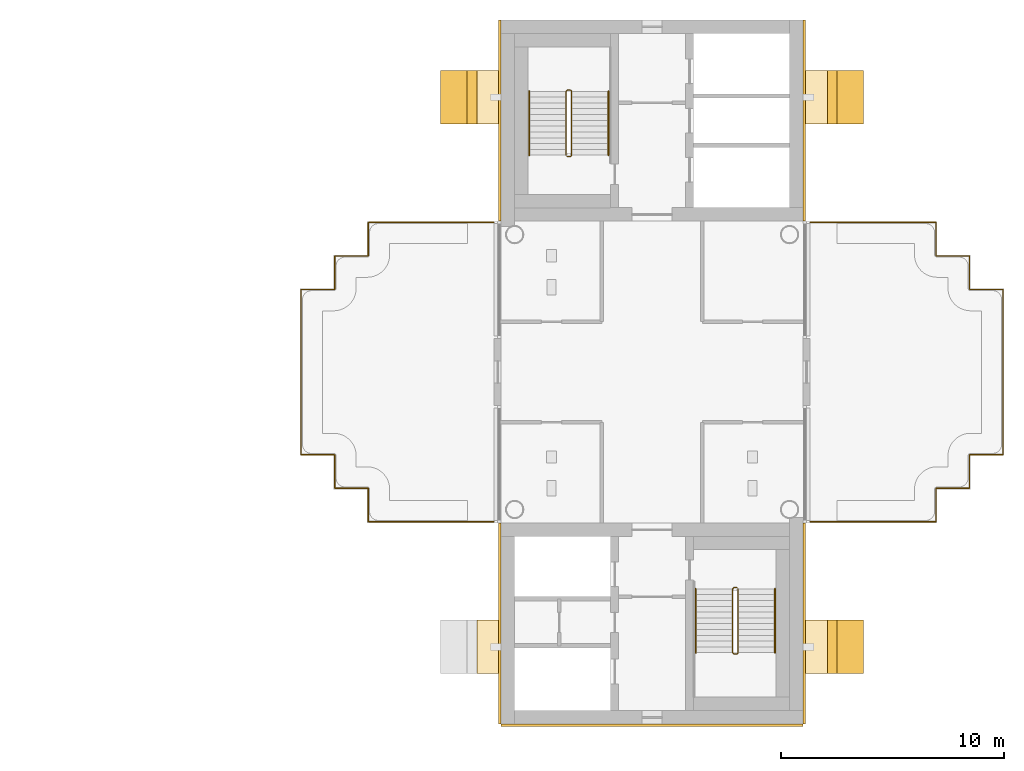
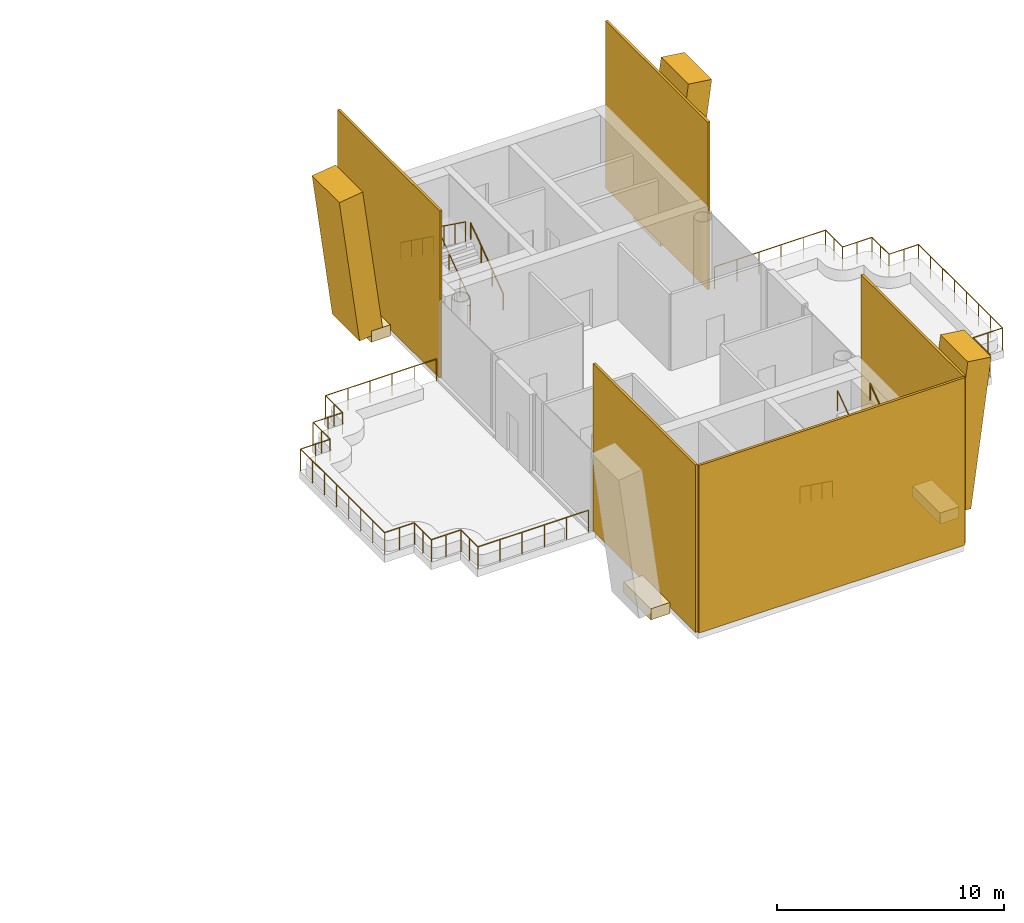
# One storey, part 16 of 17: 12 coverings, 8 railings.
"""IFC4 building model written with IfcOpenShell, lengths in metres."""

from ifc_helpers import new_model, si_unit, direction, frame, origin, origin_2d, place, context, subcontext, project, spatial, rectangle, circle, extrude, material, layer, layer_set, material_profile, profile_set, type_object, element, save


model = new_model("IFC4")

# Units and contexts
model_context = context("Model", 3, precision=1e-05, world=origin(), true_north=direction((0.0, 1.0)))
body_context = subcontext(model_context, "Body", "Model", "MODEL_VIEW")
ifc_project = project(units=[si_unit("LENGTHUNIT", "METRE"), si_unit("AREAUNIT", "SQUARE_METRE"), si_unit("VOLUMEUNIT", "CUBIC_METRE"), si_unit("PLANEANGLEUNIT", "RADIAN"), si_unit("MASSUNIT", "GRAM", prefix="KILO")], contexts=[model_context])

# Site, building, storey
site_placement = place(None, origin())
site = spatial("IfcSite", under=ifc_project, at=site_placement, CompositionType="ELEMENT")
building_placement = place(site_placement, origin())
building = spatial("IfcBuilding", under=site, at=building_placement, Name="Ipe Terrace Towers", CompositionType="ELEMENT")
storey_placement = place(building_placement, frame((0.0, 0.0, 246.89990234375)))
storey = spatial("IfcBuildingStorey", under=building, at=storey_placement, Name="L68", CompositionType="ELEMENT", Elevation=246.89990234375)

# Railings
ifc_material_1 = material(Name="Stainless steel S316", Category="steel")
railing_type_1 = type_object("IfcRailingType", Name="ROOF GUARD 1200", PredefinedType="BALUSTRADE", material=ifc_material_1)
railing_1_placement = place(storey_placement, frame((43.070068359375, -6.699951171875, -0.02001953125)))
element("IfcRailing", 1, at=railing_1_placement, inside=storey, type_object=railing_type_1, Name="roof guard", PredefinedType="BALUSTRADE", context=body_context, shape_type="SweptSolid", body=[
    extrude(circle(Radius=0.02392578125, at=origin_2d()), frame((0.0, 0.0, 1.17578125), z_axis=(1.0, 0.0, 0.0), x_axis=(0.0, 1.0, 0.0)), (0.0, 0.0, 1.0), 5.6298828125),
    extrude(circle(Radius=0.02392578125, at=origin_2d()), frame((5.6298828125, 0.0, 1.17578125), z_axis=(0.0, 1.0, 0.0), x_axis=(-1.0, 0.0, 0.0)), (0.0, 0.0, 1.0), 1.5),
    extrude(circle(Radius=0.02392578125, at=origin_2d()), frame((5.6298828125, 1.5, 1.17578125), z_axis=(1.0, 0.0, 0.0), x_axis=(0.0, 1.0, 0.0)), (0.0, 0.0, 1.0), 1.5),
    extrude(circle(Radius=0.02392578125, at=origin_2d()), frame((7.1298828125, 1.5, 1.17578125), z_axis=(0.0, 1.0, 0.0), x_axis=(-1.0, 0.0, 0.0)), (0.0, 0.0, 1.0), 1.5),
    extrude(circle(Radius=0.02392578125, at=origin_2d()), frame((7.1298828125, 3.0, 1.17578125), z_axis=(1.0, 0.0, 0.0), x_axis=(0.0, 1.0, 0.0)), (0.0, 0.0, 1.0), 1.5),
    extrude(circle(Radius=0.02392578125, at=origin_2d()), frame((8.6298828125, 3.0, 1.17578125), z_axis=(0.0, 1.0, 0.0), x_axis=(-1.0, 0.0, 0.0)), (0.0, 0.0, 1.0), 7.39990234375),
    extrude(circle(Radius=0.02392578125, at=origin_2d()), frame((8.6298828125, 10.39990234375, 1.17578125), z_axis=(-1.0, 0.0, 0.0), x_axis=(0.0, -1.0, 0.0)), (0.0, 0.0, 1.0), 1.5),
    extrude(circle(Radius=0.02392578125, at=origin_2d()), frame((7.1298828125, 10.39990234375, 1.17578125), z_axis=(0.0, 1.0, 0.0), x_axis=(-1.0, 0.0, 0.0)), (0.0, 0.0, 1.0), 1.5),
    extrude(circle(Radius=0.02392578125, at=origin_2d()), frame((7.1298828125, 11.89990234375, 1.17578125), z_axis=(-1.0, 0.0, 0.0), x_axis=(0.0, -1.0, 0.0)), (0.0, 0.0, 1.0), 1.5),
    extrude(circle(Radius=0.02392578125, at=origin_2d()), frame((5.6298828125, 11.89990234375, 1.17578125), z_axis=(0.0, 1.0, 0.0), x_axis=(-1.0, 0.0, 0.0)), (0.0, 0.0, 1.0), 1.5),
    extrude(circle(Radius=0.02392578125, at=origin_2d()), frame((5.6298828125, 13.39990234375, 1.17578125), z_axis=(-1.0, 0.0, 0.0), x_axis=(0.0, -1.0, 0.0)), (0.0, 0.0, 1.0), 5.6298828125),
    extrude(circle(Radius=0.02099609375, at=origin_2d()), origin(), (0.0, 0.0, 1.0), 1.15185546875),
    extrude(circle(Radius=0.02099609375, at=origin_2d()), frame((1.1259765625, 0.0, 0.0)), (0.0, 0.0, 1.0), 1.15185546875),
    extrude(circle(Radius=0.02099609375, at=origin_2d()), frame((2.251953125, 0.0, 0.0)), (0.0, 0.0, 1.0), 1.15185546875),
    extrude(circle(Radius=0.02099609375, at=origin_2d()), frame((3.3779296875, 0.0, 0.0)), (0.0, 0.0, 1.0), 1.15185546875),
    extrude(circle(Radius=0.02099609375, at=origin_2d()), frame((4.50390625, 0.0, 0.0)), (0.0, 0.0, 1.0), 1.15185546875),
    extrude(circle(Radius=0.02099609375, at=origin_2d()), frame((5.6298828125, 0.0, 0.0)), (0.0, 0.0, 1.0), 1.15185546875),
    extrude(circle(Radius=0.02099609375, at=origin_2d()), frame((5.6298828125, 0.75, 0.0)), (0.0, 0.0, 1.0), 1.15185546875),
    extrude(circle(Radius=0.02099609375, at=origin_2d()), frame((5.6298828125, 1.5, 0.0)), (0.0, 0.0, 1.0), 1.15185546875),
    extrude(circle(Radius=0.02099609375, at=origin_2d()), frame((6.3798828125, 1.5, 0.0)), (0.0, 0.0, 1.0), 1.15185546875),
    extrude(circle(Radius=0.02099609375, at=origin_2d()), frame((7.1298828125, 1.5, 0.0)), (0.0, 0.0, 1.0), 1.15185546875),
    extrude(circle(Radius=0.02099609375, at=origin_2d()), frame((7.1298828125, 2.25, 0.0)), (0.0, 0.0, 1.0), 1.15185546875),
    extrude(circle(Radius=0.02099609375, at=origin_2d()), frame((7.1298828125, 3.0, 0.0)), (0.0, 0.0, 1.0), 1.15185546875),
    extrude(circle(Radius=0.02099609375, at=origin_2d()), frame((7.8798828125, 3.0, 0.0)), (0.0, 0.0, 1.0), 1.15185546875),
    extrude(circle(Radius=0.02099609375, at=origin_2d()), frame((8.6298828125, 3.0, 0.0)), (0.0, 0.0, 1.0), 1.15185546875),
    extrude(circle(Radius=0.02099609375, at=origin_2d()), frame((8.6298828125, 4.05712890625, 0.0)), (0.0, 0.0, 1.0), 1.15185546875),
    extrude(circle(Radius=0.02099609375, at=origin_2d()), frame((8.6298828125, 5.1142578125, 0.0)), (0.0, 0.0, 1.0), 1.15185546875),
    extrude(circle(Radius=0.02099609375, at=origin_2d()), frame((8.6298828125, 6.17138671875, 0.0)), (0.0, 0.0, 1.0), 1.15185546875),
    extrude(circle(Radius=0.02099609375, at=origin_2d()), frame((8.6298828125, 7.228515625, 0.0)), (0.0, 0.0, 1.0), 1.15185546875),
    extrude(circle(Radius=0.02099609375, at=origin_2d()), frame((8.6298828125, 8.28564453125, 0.0)), (0.0, 0.0, 1.0), 1.15185546875),
    extrude(circle(Radius=0.02099609375, at=origin_2d()), frame((8.6298828125, 9.3427734375, 0.0)), (0.0, 0.0, 1.0), 1.15185546875),
    extrude(circle(Radius=0.02099609375, at=origin_2d()), frame((8.6298828125, 10.39990234375, 0.0)), (0.0, 0.0, 1.0), 1.15185546875),
    extrude(circle(Radius=0.02099609375, at=origin_2d()), frame((7.8798828125, 10.39990234375, 0.0)), (0.0, 0.0, 1.0), 1.15185546875),
    extrude(circle(Radius=0.02099609375, at=origin_2d()), frame((7.1298828125, 10.39990234375, 0.0)), (0.0, 0.0, 1.0), 1.15185546875),
    extrude(circle(Radius=0.02099609375, at=origin_2d()), frame((7.1298828125, 11.14990234375, 0.0)), (0.0, 0.0, 1.0), 1.15185546875),
    extrude(circle(Radius=0.02099609375, at=origin_2d()), frame((7.1298828125, 11.89990234375, 0.0)), (0.0, 0.0, 1.0), 1.15185546875),
    extrude(circle(Radius=0.02099609375, at=origin_2d()), frame((6.3798828125, 11.89990234375, 0.0)), (0.0, 0.0, 1.0), 1.15185546875),
    extrude(circle(Radius=0.02099609375, at=origin_2d()), frame((5.6298828125, 11.89990234375, 0.0)), (0.0, 0.0, 1.0), 1.15185546875),
    extrude(circle(Radius=0.02099609375, at=origin_2d()), frame((5.6298828125, 12.64990234375, 0.0)), (0.0, 0.0, 1.0), 1.15185546875),
    extrude(circle(Radius=0.02099609375, at=origin_2d()), frame((5.6298828125, 13.39990234375, 0.0)), (0.0, 0.0, 1.0), 1.15185546875),
    extrude(circle(Radius=0.02099609375, at=origin_2d()), frame((4.50390625, 13.39990234375, 0.0)), (0.0, 0.0, 1.0), 1.15185546875),
    extrude(circle(Radius=0.02099609375, at=origin_2d()), frame((3.3779296875, 13.39990234375, 0.0)), (0.0, 0.0, 1.0), 1.15185546875),
    extrude(circle(Radius=0.02099609375, at=origin_2d()), frame((2.251953125, 13.39990234375, 0.0)), (0.0, 0.0, 1.0), 1.15185546875),
    extrude(circle(Radius=0.02099609375, at=origin_2d()), frame((1.1259765625, 13.39990234375, 0.0)), (0.0, 0.0, 1.0), 1.15185546875),
    extrude(circle(Radius=0.02099609375, at=origin_2d()), frame((0.0, 13.39990234375, 0.0)), (0.0, 0.0, 1.0), 1.15185546875),
])
railing_2_placement = place(storey_placement, frame((28.929931640625, 6.699951171875, -0.02001953125)))
element("IfcRailing", 2, at=railing_2_placement, inside=storey, type_object=railing_type_1, Name="roof guard", PredefinedType="BALUSTRADE", context=body_context, shape_type="SweptSolid", body=[
    extrude(circle(Radius=0.02392578125, at=origin_2d()), frame((0.0, 0.0, 1.17578125), z_axis=(-1.0, 0.0, 0.0), x_axis=(0.0, -1.0, 0.0)), (0.0, 0.0, 1.0), 5.6298828125),
    extrude(circle(Radius=0.02392578125, at=origin_2d()), frame((-5.6298828125, 0.0, 1.17578125), z_axis=(0.0, -1.0, 0.0), x_axis=(1.0, 0.0, 0.0)), (0.0, 0.0, 1.0), 1.5),
    extrude(circle(Radius=0.02392578125, at=origin_2d()), frame((-5.6298828125, -1.5, 1.17578125), z_axis=(-1.0, 0.0, 0.0), x_axis=(0.0, -1.0, 0.0)), (0.0, 0.0, 1.0), 1.5),
    extrude(circle(Radius=0.02392578125, at=origin_2d()), frame((-7.1298828125, -1.5, 1.17578125), z_axis=(0.0, -1.0, 0.0), x_axis=(1.0, 0.0, 0.0)), (0.0, 0.0, 1.0), 1.5),
    extrude(circle(Radius=0.02392578125, at=origin_2d()), frame((-7.1298828125, -3.0, 1.17578125), z_axis=(-1.0, 0.0, 0.0), x_axis=(0.0, -1.0, 0.0)), (0.0, 0.0, 1.0), 1.5),
    extrude(circle(Radius=0.02392578125, at=origin_2d()), frame((-8.6298828125, -3.0, 1.17578125), z_axis=(0.0, -1.0, 0.0), x_axis=(1.0, 0.0, 0.0)), (0.0, 0.0, 1.0), 7.39990234375),
    extrude(circle(Radius=0.02392578125, at=origin_2d()), frame((-8.6298828125, -10.39990234375, 1.17578125), z_axis=(1.0, 0.0, 0.0), x_axis=(0.0, 1.0, 0.0)), (0.0, 0.0, 1.0), 1.5),
    extrude(circle(Radius=0.02392578125, at=origin_2d()), frame((-7.1298828125, -10.39990234375, 1.17578125), z_axis=(0.0, -1.0, 0.0), x_axis=(1.0, 0.0, 0.0)), (0.0, 0.0, 1.0), 1.5),
    extrude(circle(Radius=0.02392578125, at=origin_2d()), frame((-7.1298828125, -11.89990234375, 1.17578125), z_axis=(1.0, 0.0, 0.0), x_axis=(0.0, 1.0, 0.0)), (0.0, 0.0, 1.0), 1.5),
    extrude(circle(Radius=0.02392578125, at=origin_2d()), frame((-5.6298828125, -11.89990234375, 1.17578125), z_axis=(0.0, -1.0, 0.0), x_axis=(1.0, 0.0, 0.0)), (0.0, 0.0, 1.0), 1.5),
    extrude(circle(Radius=0.02392578125, at=origin_2d()), frame((-5.6298828125, -13.39990234375, 1.17578125), z_axis=(1.0, 0.0, 0.0), x_axis=(0.0, 1.0, 0.0)), (0.0, 0.0, 1.0), 5.6298828125),
    extrude(circle(Radius=0.02099609375, at=origin_2d()), origin(), (0.0, 0.0, 1.0), 1.15185546875),
    extrude(circle(Radius=0.02099609375, at=origin_2d()), frame((-1.1259765625, 0.0, 0.0)), (0.0, 0.0, 1.0), 1.15185546875),
    extrude(circle(Radius=0.02099609375, at=origin_2d()), frame((-2.251953125, 0.0, 0.0)), (0.0, 0.0, 1.0), 1.15185546875),
    extrude(circle(Radius=0.02099609375, at=origin_2d()), frame((-3.3779296875, 0.0, 0.0)), (0.0, 0.0, 1.0), 1.15185546875),
    extrude(circle(Radius=0.02099609375, at=origin_2d()), frame((-4.50390625, 0.0, 0.0)), (0.0, 0.0, 1.0), 1.15185546875),
    extrude(circle(Radius=0.02099609375, at=origin_2d()), frame((-5.6298828125, 0.0, 0.0)), (0.0, 0.0, 1.0), 1.15185546875),
    extrude(circle(Radius=0.02099609375, at=origin_2d()), frame((-5.6298828125, -0.75, 0.0)), (0.0, 0.0, 1.0), 1.15185546875),
    extrude(circle(Radius=0.02099609375, at=origin_2d()), frame((-5.6298828125, -1.5, 0.0)), (0.0, 0.0, 1.0), 1.15185546875),
    extrude(circle(Radius=0.02099609375, at=origin_2d()), frame((-6.3798828125, -1.5, 0.0)), (0.0, 0.0, 1.0), 1.15185546875),
    extrude(circle(Radius=0.02099609375, at=origin_2d()), frame((-7.1298828125, -1.5, 0.0)), (0.0, 0.0, 1.0), 1.15185546875),
    extrude(circle(Radius=0.02099609375, at=origin_2d()), frame((-7.1298828125, -2.25, 0.0)), (0.0, 0.0, 1.0), 1.15185546875),
    extrude(circle(Radius=0.02099609375, at=origin_2d()), frame((-7.1298828125, -3.0, 0.0)), (0.0, 0.0, 1.0), 1.15185546875),
    extrude(circle(Radius=0.02099609375, at=origin_2d()), frame((-7.8798828125, -3.0, 0.0)), (0.0, 0.0, 1.0), 1.15185546875),
    extrude(circle(Radius=0.02099609375, at=origin_2d()), frame((-8.6298828125, -3.0, 0.0)), (0.0, 0.0, 1.0), 1.15185546875),
    extrude(circle(Radius=0.02099609375, at=origin_2d()), frame((-8.6298828125, -4.05712890625, 0.0)), (0.0, 0.0, 1.0), 1.15185546875),
    extrude(circle(Radius=0.02099609375, at=origin_2d()), frame((-8.6298828125, -5.1142578125, 0.0)), (0.0, 0.0, 1.0), 1.15185546875),
    extrude(circle(Radius=0.02099609375, at=origin_2d()), frame((-8.6298828125, -6.17138671875, 0.0)), (0.0, 0.0, 1.0), 1.15185546875),
    extrude(circle(Radius=0.02099609375, at=origin_2d()), frame((-8.6298828125, -7.228515625, 0.0)), (0.0, 0.0, 1.0), 1.15185546875),
    extrude(circle(Radius=0.02099609375, at=origin_2d()), frame((-8.6298828125, -8.28564453125, 0.0)), (0.0, 0.0, 1.0), 1.15185546875),
    extrude(circle(Radius=0.02099609375, at=origin_2d()), frame((-8.6298828125, -9.3427734375, 0.0)), (0.0, 0.0, 1.0), 1.15185546875),
    extrude(circle(Radius=0.02099609375, at=origin_2d()), frame((-8.6298828125, -10.39990234375, 0.0)), (0.0, 0.0, 1.0), 1.15185546875),
    extrude(circle(Radius=0.02099609375, at=origin_2d()), frame((-7.8798828125, -10.39990234375, 0.0)), (0.0, 0.0, 1.0), 1.15185546875),
    extrude(circle(Radius=0.02099609375, at=origin_2d()), frame((-7.1298828125, -10.39990234375, 0.0)), (0.0, 0.0, 1.0), 1.15185546875),
    extrude(circle(Radius=0.02099609375, at=origin_2d()), frame((-7.1298828125, -11.14990234375, 0.0)), (0.0, 0.0, 1.0), 1.15185546875),
    extrude(circle(Radius=0.02099609375, at=origin_2d()), frame((-7.1298828125, -11.89990234375, 0.0)), (0.0, 0.0, 1.0), 1.15185546875),
    extrude(circle(Radius=0.02099609375, at=origin_2d()), frame((-6.3798828125, -11.89990234375, 0.0)), (0.0, 0.0, 1.0), 1.15185546875),
    extrude(circle(Radius=0.02099609375, at=origin_2d()), frame((-5.6298828125, -11.89990234375, 0.0)), (0.0, 0.0, 1.0), 1.15185546875),
    extrude(circle(Radius=0.02099609375, at=origin_2d()), frame((-5.6298828125, -12.64990234375, 0.0)), (0.0, 0.0, 1.0), 1.15185546875),
    extrude(circle(Radius=0.02099609375, at=origin_2d()), frame((-5.6298828125, -13.39990234375, 0.0)), (0.0, 0.0, 1.0), 1.15185546875),
    extrude(circle(Radius=0.02099609375, at=origin_2d()), frame((-4.50390625, -13.39990234375, 0.0)), (0.0, 0.0, 1.0), 1.15185546875),
    extrude(circle(Radius=0.02099609375, at=origin_2d()), frame((-3.3779296875, -13.39990234375, 0.0)), (0.0, 0.0, 1.0), 1.15185546875),
    extrude(circle(Radius=0.02099609375, at=origin_2d()), frame((-2.251953125, -13.39990234375, 0.0)), (0.0, 0.0, 1.0), 1.15185546875),
    extrude(circle(Radius=0.02099609375, at=origin_2d()), frame((-1.1259765625, -13.39990234375, 0.0)), (0.0, 0.0, 1.0), 1.15185546875),
    extrude(circle(Radius=0.02099609375, at=origin_2d()), frame((0.0, -13.39990234375, 0.0)), (0.0, 0.0, 1.0), 1.15185546875),
])

# Coverings
ifc_material_2 = material(Name="Concrete C50/60 precast, buff finish", Category="concrete")
ifc_layer = layer(ifc_material_2, 0.1201171875)
ifc_layer_set = layer_set([ifc_layer], Name="STONE CORE CLADDING 120")
covering_type_1 = type_object("IfcCoveringType", Name="STONE CORE CLADDING 120", PredefinedType="CLADDING", material=ifc_layer_set)
covering_placement = place(storey_placement, frame((36.0, -15.81005859375, 0.0), z_axis=(0.0, 0.0, 1.0), x_axis=(1.0, 0.0, 0.0)))
element("IfcCovering", 3, at=covering_placement, inside=storey, type_object=covering_type_1, Name="stone core cladding", PredefinedType="CLADDING", context=body_context, shape_type="SweptSolid", body=[
    extrude(rectangle(XDim=13.5, YDim=0.1201171875, at=origin_2d()), origin(), (0.0, 0.0, 1.0), 9.0),
])
for number, where, z_axis, x_axis, name in (
    (4, (29.18994140625, -11.25, 0.0), (0.0, 0.0, 1.0), (0.0, -1.0, 0.0), "stone core cladding"),
    (5, (29.18994140625, 11.2490234375, 0.0), (0.0, 0.0, 1.0), (0.0, -1.0, 0.0), "stone core cladding"),
    (6, (42.81005859375, -11.2490234375, 0.0), (0.0, 0.0, 1.0), (0.0, 1.0, 0.0), "stone core cladding"),
    (7, (42.81005859375, 11.25, 0.0), (0.0, 0.0, 1.0), (0.0, 1.0, 0.0), "stone core cladding"),
):
    element("IfcCovering", number, at=place(storey_placement, frame(where, z_axis=z_axis, x_axis=x_axis)), inside=storey, type_object=covering_type_1, Name=name, PredefinedType="CLADDING", context=body_context, shape_type="SweptSolid", body=[
        extrude(rectangle(XDim=9.0009765625, YDim=0.1201171875, at=origin_2d()), origin(), (0.0, 0.0, 1.0), 9.0),
    ])
ifc_material_3 = material(Name="Concrete C50/60 precast, buff finish", Category="concrete")
ifc_material_profile = material_profile(ifc_material_3, rectangle(XDim=2.39990234375, YDim=1.199951171875, at=origin_2d()), Name="STONE FIN 2400 x 1200")
ifc_profile_set = profile_set([ifc_material_profile], Name="Concrete C50/60 precast, buff finish")
covering_type_2 = type_object("IfcCoveringType", Name="STONE FIN 2400 x 1200", PredefinedType="USERDEFINED", material=ifc_profile_set)
for number, where, z_axis, x_axis, name in (
    (8, (28.160888671875, 12.300048828125, 0.0), (-0.131039644898, 0.0, 0.991377128779), (0.0, -1.0, 0.0), "stone fin"),
    (9, (43.839111328125, -12.300048828125, 0.0), (0.131039644898, 0.0, 0.991377128779), (0.0, 1.0, 0.0), "stone fin"),
    (10, (43.839111328125, 12.300048828125, 0.0), (0.131039644898, 0.0, 0.991377128779), (0.0, 1.0, 0.0), "stone fin"),
):
    element("IfcCovering", number, at=place(storey_placement, frame(where, z_axis=z_axis, x_axis=x_axis)), inside=storey, type_object=covering_type_2, Name=name, ObjectType="FIN", PredefinedType="USERDEFINED", context=body_context, shape_type="SweptSolid", body=[
        extrude(rectangle(XDim=2.39990234375, YDim=1.199951171875, at=origin_2d()), origin(), (0.0, 0.0, 1.0), 7.867919921875),
    ])
ifc_material_4 = material(Name="Concrete C50/60 precast, buff finish", Category="concrete")
covering_type_3 = type_object("IfcCoveringType", Name="STONE FIN SHELF 2400 x 600", PredefinedType="CLADDING", material=ifc_material_4)
for number, where, z_axis, x_axis, name in (
    (11, (28.65087890625, -12.300048828125, -0.349853515625), (0.0, 0.0, 1.0), (0.0, -1.0, 0.0), "stone fin shelf"),
    (12, (28.65087890625, 12.300048828125, -0.349853515625), (0.0, 0.0, 1.0), (0.0, -1.0, 0.0), "stone fin shelf"),
    (13, (43.34912109375, -12.300048828125, -0.349853515625), (0.0, 0.0, 1.0), (0.0, 1.0, 0.0), "stone fin shelf"),
    (14, (43.34912109375, 12.300048828125, -0.349853515625), (0.0, 0.0, 1.0), (0.0, 1.0, 0.0), "stone fin shelf"),
):
    element("IfcCovering", number, at=place(storey_placement, frame(where, z_axis=z_axis, x_axis=x_axis)), inside=storey, type_object=covering_type_3, Name=name, PredefinedType="CLADDING", context=body_context, shape_type="SweptSolid", body=[
        extrude(rectangle(XDim=2.39990234375, YDim=0.97900390625, at=origin_2d()), origin(), (0.0, 0.0, 1.0), 0.60009765625),
    ])

# Railings
ifc_material_5 = material(Name="Steel S355", Category="steel")
railing_type_2 = type_object("IfcRailingType", Name="Stair guard 1100", PredefinedType="GUARDRAIL", material=ifc_material_5)
railing_3_placement = place(storey_placement, frame((32.199951171875, 9.64990234375, 0.0)))
element("IfcRailing", 15, at=railing_3_placement, inside=storey, type_object=railing_type_2, Name="L68 T2-ST1 stair guard 1", PredefinedType="GUARDRAIL", context=body_context, shape_type="SweptSolid", body=[
    extrude(circle(Radius=0.02392578125, at=origin_2d()), frame((0.0, 0.0, 1.076171875), z_axis=(1.0, 0.0, 0.0), x_axis=(0.0, 1.0, 0.0)), (0.0, 0.0, 1.0), 0.150146484375),
    extrude(circle(Radius=0.02392578125, at=origin_2d()), frame((0.150146484375, 0.0, 1.076171875), z_axis=(0.248583702486, 0.249802250048, 0.935844527007), x_axis=(-0.708833529934, 0.705375805398, 0.0)), (0.0, 0.0, 1.0), 0.200439453125),
    extrude(circle(Radius=0.02392578125, at=origin_2d()), frame((0.199951171875, 0.050048828125, 1.263671875), z_axis=(0.0, 0.811100754333, 0.584906459462), x_axis=(-1.0, 0.0, 0.0)), (0.0, 0.0, 1.0), 3.526123046875),
    extrude(circle(Radius=0.02392578125, at=origin_2d()), frame((0.199951171875, 2.91015625, 3.326171875), z_axis=(-0.705375805398, 0.708833529934, 0.0), x_axis=(-0.708833529934, -0.705375805398, 0.0)), (0.0, 0.0, 1.0), 0.070556640625),
    extrude(circle(Radius=0.02392578125, at=origin_2d()), frame((0.150146484375, 2.960205078125, 3.326171875), z_axis=(-1.0, 0.0, 0.0), x_axis=(0.0, -1.0, 0.0)), (0.0, 0.0, 1.0), 0.150146484375),
    extrude(circle(Radius=0.02392578125, at=origin_2d()), frame((0.0, 2.960205078125, 3.326171875), z_axis=(-0.249726431254, -0.249726431254, 0.935560483917), x_axis=(0.707106781187, -0.707106781187, 0.0)), (0.0, 0.0, 1.0), 0.200439453125),
    extrude(circle(Radius=0.02392578125, at=origin_2d()), frame((-0.050048828125, 2.91015625, 3.513671875), z_axis=(0.0, -0.811100754333, 0.584906459462), x_axis=(1.0, 0.0, 0.0)), (0.0, 0.0, 1.0), 3.526123046875),
    extrude(circle(Radius=0.02099609375, at=origin_2d()), origin(), (0.0, 0.0, 1.0), 1.052001953125),
    extrude(circle(Radius=0.02099609375, at=origin_2d()), frame((0.150146484375, 0.0, 0.0)), (0.0, 0.0, 1.0), 1.052001953125),
    extrude(circle(Radius=0.02099609375, at=origin_2d()), frame((0.199951171875, 0.050048828125, 0.1875)), (0.0, 0.0, 1.0), 1.052001953125),
    extrude(circle(Radius=0.02099609375, at=origin_2d()), frame((0.199951171875, 1.00341796875, 0.875)), (0.0, 0.0, 1.0), 1.052001953125),
    extrude(circle(Radius=0.02099609375, at=origin_2d()), frame((0.199951171875, 1.956787109375, 1.5625)), (0.0, 0.0, 1.0), 1.052001953125),
    extrude(circle(Radius=0.02099609375, at=origin_2d()), frame((0.199951171875, 2.91015625, 2.25)), (0.0, 0.0, 1.0), 1.052001953125),
    extrude(circle(Radius=0.02099609375, at=origin_2d()), frame((0.150146484375, 2.960205078125, 2.25)), (0.0, 0.0, 1.0), 1.052001953125),
    extrude(circle(Radius=0.02099609375, at=origin_2d()), frame((0.0, 2.960205078125, 2.25)), (0.0, 0.0, 1.0), 1.052001953125),
    extrude(circle(Radius=0.02099609375, at=origin_2d()), frame((-0.050048828125, 2.91015625, 2.4375)), (0.0, 0.0, 1.0), 1.052001953125),
    extrude(circle(Radius=0.02099609375, at=origin_2d()), frame((-0.050048828125, 1.956787109375, 3.125)), (0.0, 0.0, 1.0), 1.052001953125),
    extrude(circle(Radius=0.02099609375, at=origin_2d()), frame((-0.050048828125, 1.00341796875, 3.8125)), (0.0, 0.0, 1.0), 1.052001953125),
    extrude(circle(Radius=0.02099609375, at=origin_2d()), frame((-0.050048828125, 0.050048828125, 4.5)), (0.0, 0.0, 1.0), 1.052001953125),
])
railing_4_placement = place(storey_placement, frame((39.800048828125, -9.64990234375, 0.0)))
element("IfcRailing", 16, at=railing_4_placement, inside=storey, type_object=railing_type_2, Name="L68 T2-ST2 stair guard 1", PredefinedType="GUARDRAIL", context=body_context, shape_type="SweptSolid", body=[
    extrude(circle(Radius=0.02392578125, at=origin_2d()), frame((0.0, 0.0, 1.076171875), z_axis=(-1.0, 0.0, 0.0), x_axis=(0.0, -1.0, 0.0)), (0.0, 0.0, 1.0), 0.150146484375),
    extrude(circle(Radius=0.02392578125, at=origin_2d()), frame((-0.150146484375, 0.0, 1.076171875), z_axis=(-0.248583702486, -0.249802250048, 0.935844527007), x_axis=(0.708833529934, -0.705375805398, 0.0)), (0.0, 0.0, 1.0), 0.200439453125),
    extrude(circle(Radius=0.02392578125, at=origin_2d()), frame((-0.199951171875, -0.050048828125, 1.263671875), z_axis=(0.0, -0.811100754333, 0.584906459462), x_axis=(1.0, 0.0, 0.0)), (0.0, 0.0, 1.0), 3.526123046875),
    extrude(circle(Radius=0.02392578125, at=origin_2d()), frame((-0.199951171875, -2.91015625, 3.326171875), z_axis=(0.705375805398, -0.708833529934, 0.0), x_axis=(0.708833529934, 0.705375805398, 0.0)), (0.0, 0.0, 1.0), 0.070556640625),
    extrude(circle(Radius=0.02392578125, at=origin_2d()), frame((-0.150146484375, -2.960205078125, 3.326171875), z_axis=(1.0, 0.0, 0.0), x_axis=(0.0, 1.0, 0.0)), (0.0, 0.0, 1.0), 0.150146484375),
    extrude(circle(Radius=0.02392578125, at=origin_2d()), frame((0.0, -2.960205078125, 3.326171875), z_axis=(0.249726431254, 0.249726431254, 0.935560483917), x_axis=(-0.707106781187, 0.707106781187, 0.0)), (0.0, 0.0, 1.0), 0.200439453125),
    extrude(circle(Radius=0.02392578125, at=origin_2d()), frame((0.050048828125, -2.91015625, 3.513671875), z_axis=(0.0, 0.811100754333, 0.584906459462), x_axis=(-1.0, 0.0, 0.0)), (0.0, 0.0, 1.0), 3.526123046875),
    extrude(circle(Radius=0.02099609375, at=origin_2d()), origin(), (0.0, 0.0, 1.0), 1.052001953125),
    extrude(circle(Radius=0.02099609375, at=origin_2d()), frame((-0.150146484375, 0.0, 0.0)), (0.0, 0.0, 1.0), 1.052001953125),
    extrude(circle(Radius=0.02099609375, at=origin_2d()), frame((-0.199951171875, -0.050048828125, 0.1875)), (0.0, 0.0, 1.0), 1.052001953125),
    extrude(circle(Radius=0.02099609375, at=origin_2d()), frame((-0.199951171875, -1.00341796875, 0.875)), (0.0, 0.0, 1.0), 1.052001953125),
    extrude(circle(Radius=0.02099609375, at=origin_2d()), frame((-0.199951171875, -1.956787109375, 1.5625)), (0.0, 0.0, 1.0), 1.052001953125),
    extrude(circle(Radius=0.02099609375, at=origin_2d()), frame((-0.199951171875, -2.91015625, 2.25)), (0.0, 0.0, 1.0), 1.052001953125),
    extrude(circle(Radius=0.02099609375, at=origin_2d()), frame((-0.150146484375, -2.960205078125, 2.25)), (0.0, 0.0, 1.0), 1.052001953125),
    extrude(circle(Radius=0.02099609375, at=origin_2d()), frame((0.0, -2.960205078125, 2.25)), (0.0, 0.0, 1.0), 1.052001953125),
    extrude(circle(Radius=0.02099609375, at=origin_2d()), frame((0.050048828125, -2.91015625, 2.4375)), (0.0, 0.0, 1.0), 1.052001953125),
    extrude(circle(Radius=0.02099609375, at=origin_2d()), frame((0.050048828125, -1.956787109375, 3.125)), (0.0, 0.0, 1.0), 1.052001953125),
    extrude(circle(Radius=0.02099609375, at=origin_2d()), frame((0.050048828125, -1.00341796875, 3.8125)), (0.0, 0.0, 1.0), 1.052001953125),
    extrude(circle(Radius=0.02099609375, at=origin_2d()), frame((0.050048828125, -0.050048828125, 4.5)), (0.0, 0.0, 1.0), 1.052001953125),
])
ifc_material_6 = material(Name="Stainless steel grade 304", Category="steel")
railing_type_3 = type_object("IfcRailingType", Name="Stair handrail 900", PredefinedType="HANDRAIL", material=ifc_material_6)
railing_5_placement = place(storey_placement, frame((34.050048828125, 9.699951171875, 0.1875)))
element("IfcRailing", 17, at=railing_5_placement, inside=storey, type_object=railing_type_3, Name="L68 T2-ST1 stair handrail 1", PredefinedType="HANDRAIL", context=body_context, shape_type="SweptSolid", body=[
    extrude(circle(Radius=0.02392578125, at=origin_2d()), frame((0.0, 0.0, 0.8759765625), z_axis=(0.0, 0.811100754333, 0.584906459462), x_axis=(-1.0, 0.0, 0.0)), (0.0, 0.0, 1.0), 3.526123046875),
    extrude(circle(Radius=0.02099609375, at=origin_2d()), origin(), (0.0, 0.0, 1.0), 0.851806640625),
    extrude(circle(Radius=0.02099609375, at=origin_2d()), frame((0.0, 0.953369140625, 0.6875)), (0.0, 0.0, 1.0), 0.851806640625),
    extrude(circle(Radius=0.02099609375, at=origin_2d()), frame((0.0, 1.90673828125, 1.375)), (0.0, 0.0, 1.0), 0.851806640625),
    extrude(circle(Radius=0.02099609375, at=origin_2d()), frame((0.0, 2.860107421875, 2.0625)), (0.0, 0.0, 1.0), 0.851806640625),
])
for number, where, name in (
    (18, (30.5, 12.56005859375, 2.4375), "L68 T2-ST1 stair handrail 2"),
    (19, (37.949951171875, -9.699951171875, 0.1875), "L68 T2-ST2 stair handrail 1"),
):
    element("IfcRailing", number, at=place(storey_placement, frame(where)), inside=storey, type_object=railing_type_3, Name=name, PredefinedType="HANDRAIL", context=body_context, shape_type="SweptSolid", body=[
        extrude(circle(Radius=0.02392578125, at=origin_2d()), frame((0.0, 0.0, 0.8759765625), z_axis=(0.0, -0.811100754333, 0.584906459462), x_axis=(1.0, 0.0, 0.0)), (0.0, 0.0, 1.0), 3.526123046875),
        extrude(circle(Radius=0.02099609375, at=origin_2d()), origin(), (0.0, 0.0, 1.0), 0.851806640625),
        extrude(circle(Radius=0.02099609375, at=origin_2d()), frame((0.0, -0.953369140625, 0.6875)), (0.0, 0.0, 1.0), 0.851806640625),
        extrude(circle(Radius=0.02099609375, at=origin_2d()), frame((0.0, -1.90673828125, 1.375)), (0.0, 0.0, 1.0), 0.851806640625),
        extrude(circle(Radius=0.02099609375, at=origin_2d()), frame((0.0, -2.860107421875, 2.0625)), (0.0, 0.0, 1.0), 0.851806640625),
    ])
railing_6_placement = place(storey_placement, frame((41.5, -12.56005859375, 2.4375)))
element("IfcRailing", 20, at=railing_6_placement, inside=storey, type_object=railing_type_3, Name="L68 T2-ST2 stair handrail 2", PredefinedType="HANDRAIL", context=body_context, shape_type="SweptSolid", body=[
    extrude(circle(Radius=0.02392578125, at=origin_2d()), frame((0.0, 0.0, 0.8759765625), z_axis=(0.0, 0.811100754333, 0.584906459462), x_axis=(-1.0, 0.0, 0.0)), (0.0, 0.0, 1.0), 3.526123046875),
    extrude(circle(Radius=0.02099609375, at=origin_2d()), origin(), (0.0, 0.0, 1.0), 0.851806640625),
    extrude(circle(Radius=0.02099609375, at=origin_2d()), frame((0.0, 0.953369140625, 0.6875)), (0.0, 0.0, 1.0), 0.851806640625),
    extrude(circle(Radius=0.02099609375, at=origin_2d()), frame((0.0, 1.90673828125, 1.375)), (0.0, 0.0, 1.0), 0.851806640625),
    extrude(circle(Radius=0.02099609375, at=origin_2d()), frame((0.0, 2.860107421875, 2.0625)), (0.0, 0.0, 1.0), 0.851806640625),
])

save(model, "model.ifc")
